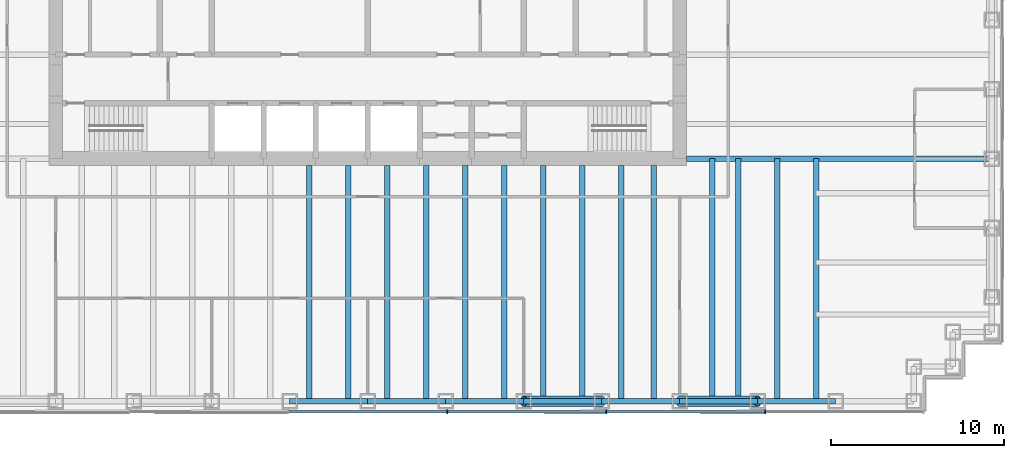
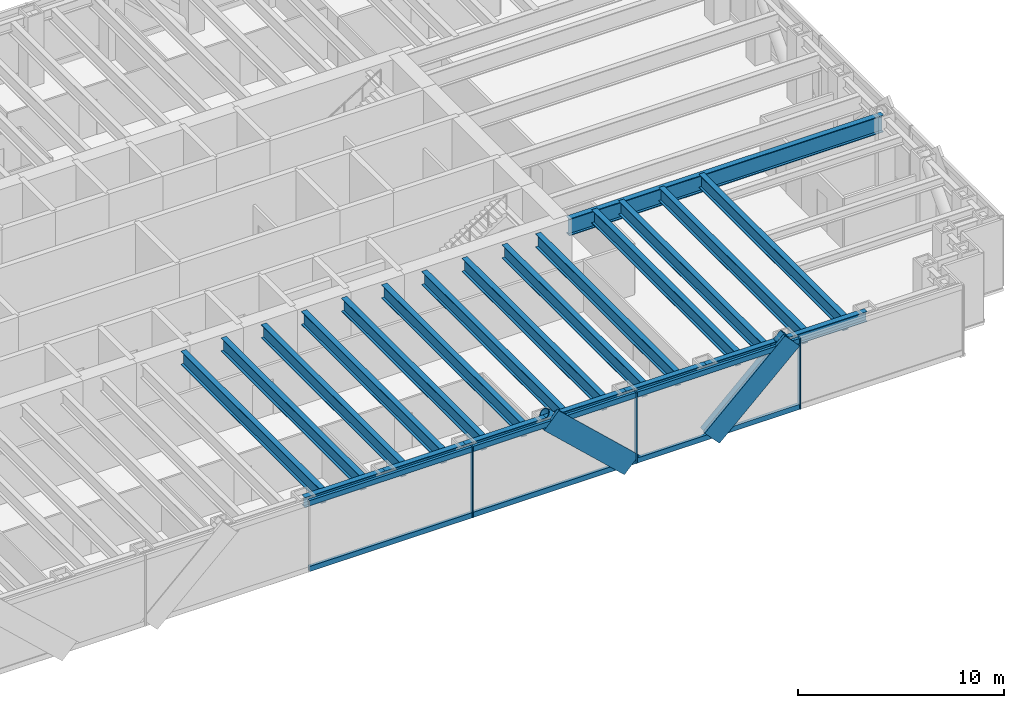
# One storey, part 3 of 14: 22 beams, 13 members, 1 element without a shape of its own.
"""IFC4 building model written with IfcOpenShell, lengths in metres."""

from ifc_helpers import new_model, si_unit, direction, frame, origin, origin_2d, place, context, subcontext, project, spatial, rectangle, hollow_circle, i_section, extrude, material, material_profile, profile_set, type_object, element, aggregate, save


model = new_model("IFC4")

# Units and contexts
model_context = context("Model", 3, precision=1e-05, world=origin(), true_north=direction((0.0, 1.0)))
body_context = subcontext(model_context, "Body", "Model", "MODEL_VIEW")
ifc_project = project(units=[si_unit("LENGTHUNIT", "METRE"), si_unit("AREAUNIT", "SQUARE_METRE"), si_unit("VOLUMEUNIT", "CUBIC_METRE"), si_unit("PLANEANGLEUNIT", "RADIAN"), si_unit("MASSUNIT", "GRAM", prefix="KILO")], contexts=[model_context])

# Site, building, storey
site_placement = place(None, origin())
site = spatial("IfcSite", under=ifc_project, at=site_placement, CompositionType="ELEMENT")
building_placement = place(site_placement, origin())
building = spatial("IfcBuilding", under=site, at=building_placement, Name="Rheinbord Bourse Tower", CompositionType="ELEMENT")
storey_placement = place(building_placement, frame((0.0, 0.0, 202.60009765625)))
storey = spatial("IfcBuildingStorey", under=building, at=storey_placement, Name="L45", CompositionType="ELEMENT", Elevation=202.60009765625)

# Curtain wall, members
ifc_material_1 = material(Name="Dark glass and black aluminium", Category="aluminium")
curtain_wall_type = type_object("IfcCurtainWallType", Name="CW2 DARK GLASS CURTAIN WALL", PredefinedType="USERDEFINED", material=ifc_material_1)
curtain_wall_placement = place(storey_placement, origin())
curtain_wall = element("IfcCurtainWall", 1, at=curtain_wall_placement, inside=storey, type_object=curtain_wall_type, Name="Curtain wall CW2 S L45", ObjectType="UNITISED CURTAIN WALL", PredefinedType="USERDEFINED")
ifc_material_2 = material(Name="Black anodised aluminium", Category="aluminium")
ifc_material_profile_1 = material_profile(ifc_material_2, rectangle(XDim=0.159912109375, YDim=1.2099609375, at=origin_2d()), Name="CW2 DIAGONAL MULLION 1210x160")
ifc_profile_set_1 = profile_set([ifc_material_profile_1], Name="Black anodised aluminium")
member_type_1 = type_object("IfcMemberType", Name="CW2 BLACK DIAGONAL MULLION", PredefinedType="USERDEFINED", material=ifc_profile_set_1)
member_1_placement = place(storey_placement, frame((49.5, 1.39990234375, 0.0), z_axis=(-0.73105922506, 0.0, 0.682314010889), x_axis=(0.0, -1.0, 0.0)))
member_1 = element("IfcMember", 2, at=member_1_placement, type_object=member_type_1, Name="CW2 diagonal mullion a", ObjectType="DIAGONAL MULLION", PredefinedType="USERDEFINED", context=body_context, shape_type="SweptSolid", body=[
    extrude(rectangle(XDim=0.159912109375, YDim=1.2099609375, at=origin_2d()), origin(), (0.0, 0.0, 1.0), 6.155517578125),
])
member_2_placement = place(storey_placement, frame((54.0, 1.39990234375, 0.0), z_axis=(0.73105922506, 0.0, 0.682314010889), x_axis=(0.0, 1.0, 0.0)))
member_2 = element("IfcMember", 3, at=member_2_placement, type_object=member_type_1, Name="CW2 diagonal mullion d", ObjectType="DIAGONAL MULLION", PredefinedType="USERDEFINED", context=body_context, shape_type="SweptSolid", body=[
    extrude(rectangle(XDim=0.159912109375, YDim=1.2099609375, at=origin_2d()), origin(), (0.0, 0.0, 1.0), 6.155517578125),
])
ifc_material_3 = material(Name="Black anodised aluminium", Category="aluminium")
ifc_material_profile_2 = material_profile(ifc_material_3, rectangle(XDim=0.219970703125, YDim=0.070068359375, at=origin_2d()), Name="CW2 MULLION 70x220")
ifc_profile_set_2 = profile_set([ifc_material_profile_2], Name="Black anodised aluminium")
member_type_2 = type_object("IfcMemberType", Name="CW2 BLACK MULLION", PredefinedType="MULLION", material=ifc_profile_set_2)
member_3_placement = place(storey_placement, frame((40.585693359375, 1.39990234375, 0.0), z_axis=(0.0, 0.0, 1.0), x_axis=(0.0, 1.0, 0.0)))
member_3 = element("IfcMember", 4, at=member_3_placement, type_object=member_type_2, Name="CW2 mullion 5", PredefinedType="MULLION", context=body_context, shape_type="SweptSolid", body=[
    extrude(rectangle(XDim=0.219970703125, YDim=0.070068359375, at=origin_2d()), origin(), (0.0, 0.0, 1.0), 4.199951171875),
])
member_4_placement = place(storey_placement, frame((49.757080078125, 1.39990234375, 0.0), z_axis=(0.0, 0.0, 1.0), x_axis=(0.0, 1.0, 0.0)))
member_4 = element("IfcMember", 5, at=member_4_placement, type_object=member_type_2, Name="CW2 mullion 6", PredefinedType="MULLION", context=body_context, shape_type="SweptSolid", body=[
    extrude(rectangle(XDim=0.219970703125, YDim=0.070068359375, at=origin_2d()), origin(), (0.0, 0.0, 1.0), 4.199951171875),
])
member_5_placement = place(storey_placement, frame((58.928466796875, 1.39990234375, 0.0), z_axis=(0.0, 0.0, 1.0), x_axis=(0.0, 1.0, 0.0)))
member_5 = element("IfcMember", 6, at=member_5_placement, type_object=member_type_2, Name="CW2 mullion 7", PredefinedType="MULLION", context=body_context, shape_type="SweptSolid", body=[
    extrude(rectangle(XDim=0.219970703125, YDim=0.070068359375, at=origin_2d()), origin(), (0.0, 0.0, 1.0), 4.199951171875),
])
ifc_material_4 = material(Name="Black anodised aluminium", Category="aluminium")
ifc_material_profile_3 = material_profile(ifc_material_4, rectangle(XDim=0.159912109375, YDim=0.300048828125, at=origin_2d()), Name="CW2 TRANSOM 300x160")
ifc_profile_set_3 = profile_set([ifc_material_profile_3], Name="Black anodised aluminium")
member_type_3 = type_object("IfcMemberType", Name="CW2 BLACK TRANSOM", PredefinedType="USERDEFINED", material=ifc_profile_set_3)
member_6_placement = place(storey_placement, frame((31.44921875, 1.39990234375, 0.14990234375), z_axis=(1.0, 0.0, 0.0), x_axis=(0.0, 1.0, 0.0)))
member_6 = element("IfcMember", 7, at=member_6_placement, type_object=member_type_3, Name="CW2 transom 4.1", ObjectType="TRANSOM", PredefinedType="USERDEFINED", context=body_context, shape_type="SweptSolid", body=[
    extrude(rectangle(XDim=0.159912109375, YDim=0.300048828125, at=origin_2d()), origin(), (0.0, 0.0, 1.0), 9.1015625),
])
member_7_placement = place(storey_placement, frame((31.44921875, 1.39990234375, 4.0498046875), z_axis=(1.0, 0.0, 0.0), x_axis=(0.0, 1.0, 0.0)))
member_7 = element("IfcMember", 8, at=member_7_placement, type_object=member_type_3, Name="CW2 transom 4.2", ObjectType="TRANSOM", PredefinedType="USERDEFINED", context=body_context, shape_type="SweptSolid", body=[
    extrude(rectangle(XDim=0.159912109375, YDim=0.300048828125, at=origin_2d()), origin(), (0.0, 0.0, 1.0), 9.1015625),
])
member_8_placement = place(storey_placement, frame((40.62060546875, 1.39990234375, 0.14990234375), z_axis=(1.0, 0.0, 0.0), x_axis=(0.0, 1.0, 0.0)))
member_8 = element("IfcMember", 9, at=member_8_placement, type_object=member_type_3, Name="CW2 transom 5.1", ObjectType="TRANSOM", PredefinedType="USERDEFINED", context=body_context, shape_type="SweptSolid", body=[
    extrude(rectangle(XDim=0.159912109375, YDim=0.300048828125, at=origin_2d()), origin(), (0.0, 0.0, 1.0), 9.1015625),
])
member_9_placement = place(storey_placement, frame((40.62060546875, 1.39990234375, 4.0498046875), z_axis=(1.0, 0.0, 0.0), x_axis=(0.0, 1.0, 0.0)))
member_9 = element("IfcMember", 10, at=member_9_placement, type_object=member_type_3, Name="CW2 transom 5.2", ObjectType="TRANSOM", PredefinedType="USERDEFINED", context=body_context, shape_type="SweptSolid", body=[
    extrude(rectangle(XDim=0.159912109375, YDim=0.300048828125, at=origin_2d()), origin(), (0.0, 0.0, 1.0), 9.1015625),
])
member_10_placement = place(storey_placement, frame((49.792236328125, 1.39990234375, 0.14990234375), z_axis=(1.0, 0.0, 0.0), x_axis=(0.0, 1.0, 0.0)))
member_10 = element("IfcMember", 11, at=member_10_placement, type_object=member_type_3, Name="CW2 transom 6.1", ObjectType="TRANSOM", PredefinedType="USERDEFINED", context=body_context, shape_type="SweptSolid", body=[
    extrude(rectangle(XDim=0.159912109375, YDim=0.300048828125, at=origin_2d()), origin(), (0.0, 0.0, 1.0), 9.101318359375),
])
member_11_placement = place(storey_placement, frame((49.792236328125, 1.39990234375, 4.0498046875), z_axis=(1.0, 0.0, 0.0), x_axis=(0.0, 1.0, 0.0)))
member_11 = element("IfcMember", 12, at=member_11_placement, type_object=member_type_3, Name="CW2 transom 6.2", ObjectType="TRANSOM", PredefinedType="USERDEFINED", context=body_context, shape_type="SweptSolid", body=[
    extrude(rectangle(XDim=0.159912109375, YDim=0.300048828125, at=origin_2d()), origin(), (0.0, 0.0, 1.0), 9.101318359375),
])
aggregate(curtain_wall, [member_3, member_4, member_5, member_6, member_7, member_8, member_9, member_10, member_11, member_1, member_2])

# Beams
ifc_material_5 = material(Name="Steel S460", Category="steel")
ifc_material_profile_4 = material_profile(ifc_material_5, i_section(OverallWidth=0.300048828125, OverallDepth=0.800048828125, WebThickness=0.017578125, FlangeThickness=0.032958984375, at=origin_2d()), Name="HEB 800")
ifc_profile_set_4 = profile_set([ifc_material_profile_4], Name="Steel S460")
beam_type_1 = type_object("IfcBeamType", Name="FLOOR BEAM HEB 800", PredefinedType="BEAM", material=ifc_profile_set_4)
for number, where, z_axis, x_axis, name in (
    (13, (32.625, 2.0, 3.639892578125), (0.0, 1.0, 0.0), (-1.0, 0.0, 0.0), "Floor beam S-31.5a L46"),
    (14, (34.875, 2.0, 3.639892578125), (0.0, 1.0, 0.0), (-1.0, 0.0, 0.0), "Floor beam S-31.5b L46"),
    (15, (37.125, 2.0, 3.639892578125), (0.0, 1.0, 0.0), (-1.0, 0.0, 0.0), "Floor beam S-36a L46"),
    (16, (39.375, 2.0, 3.639892578125), (0.0, 1.0, 0.0), (-1.0, 0.0, 0.0), "Floor beam S-36b L46"),
    (17, (41.625, 2.0, 3.639892578125), (0.0, 1.0, 0.0), (-1.0, 0.0, 0.0), "Floor beam S-40.5a L46"),
    (18, (43.875, 2.0, 3.639892578125), (0.0, 1.0, 0.0), (-1.0, 0.0, 0.0), "Floor beam S-40.5b L46"),
    (19, (46.125, 2.0, 3.639892578125), (0.0, 1.0, 0.0), (-1.0, 0.0, 0.0), "Floor beam S-45a L46"),
    (20, (48.375, 2.0, 3.639892578125), (0.0, 1.0, 0.0), (-1.0, 0.0, 0.0), "Floor beam S-45b L46"),
    (21, (50.625, 2.0, 3.639892578125), (0.0, 1.0, 0.0), (-1.0, 0.0, 0.0), "Floor beam S-49.5a L46"),
    (22, (52.5, 2.0, 3.639892578125), (0.0, 1.0, 0.0), (-1.0, 0.0, 0.0), "Floor beam S-49.5b L46"),
):
    element("IfcBeam", number, at=place(storey_placement, frame(where, z_axis=z_axis, x_axis=x_axis)), inside=storey, type_object=beam_type_1, Name=name, PredefinedType="BEAM", context=body_context, shape_type="SweptSolid", body=[
        extrude(i_section(OverallWidth=0.300048828125, OverallDepth=0.800048828125, WebThickness=0.017578125, FlangeThickness=0.032958984375, at=origin_2d()), origin(), (0.0, 0.0, 1.0), 13.60009765625),
    ])
for number, where, z_axis, x_axis, name in (
    (23, (55.875, 2.0, 3.639892578125), (0.0, 1.0, 0.0), (-1.0, 0.0, 0.0), "Floor beam S-54a L46"),
    (24, (57.375, 2.0, 3.639892578125), (0.0, 1.0, 0.0), (-1.0, 0.0, 0.0), "Floor beam S-54b L46"),
    (25, (59.625, 2.0, 3.639892578125), (0.0, 1.0, 0.0), (-1.0, 0.0, 0.0), "Floor beam S-58.5a L46"),
    (26, (61.875, 2.0, 3.639892578125), (0.0, 1.0, 0.0), (-1.0, 0.0, 0.0), "Floor beam S-58.5b L46"),
):
    element("IfcBeam", number, at=place(storey_placement, frame(where, z_axis=z_axis, x_axis=x_axis)), inside=storey, type_object=beam_type_1, Name=name, PredefinedType="BEAM", context=body_context, shape_type="SweptSolid", body=[
        extrude(i_section(OverallWidth=0.300048828125, OverallDepth=0.800048828125, WebThickness=0.017578125, FlangeThickness=0.032958984375, at=origin_2d()), origin(), (0.0, 0.0, 1.0), 14.0),
    ])
ifc_material_6 = material(Name="Steel S460", Category="steel")
ifc_material_profile_5 = material_profile(ifc_material_6, i_section(OverallWidth=0.302001953125, OverallDepth=1.008056640625, WebThickness=0.02099609375, FlangeThickness=0.0400390625, at=origin_2d()), Name="HEM 1000")
ifc_profile_set_5 = profile_set([ifc_material_profile_5], Name="Steel S460")
beam_type_2 = type_object("IfcBeamType", Name="GIRDER HEM 1000", PredefinedType="BEAM", material=ifc_profile_set_5)
beam_placement = place(storey_placement, frame((54.39990234375, 16.0, 3.535888671875), z_axis=(1.0, 0.0, 0.0), x_axis=(0.0, 1.0, 0.0)))
element("IfcBeam", 27, at=beam_placement, inside=storey, type_object=beam_type_2, Name="Girder east 16 L46", PredefinedType="BEAM", context=body_context, shape_type="SweptSolid", body=[
    extrude(i_section(OverallWidth=0.302001953125, OverallDepth=1.008056640625, WebThickness=0.02099609375, FlangeThickness=0.0400390625, at=origin_2d()), origin(), (0.0, 0.0, 1.0), 17.60009765625),
])

# Members
ifc_material_7 = material(Name="Steel S460", Category="steel")
ifc_material_profile_6 = material_profile(ifc_material_7, hollow_circle(Radius=0.304931640625, WallThickness=0.0400390625, at=origin_2d()), Name="CHS 610x40")
ifc_profile_set_6 = profile_set([ifc_material_profile_6], Name="Steel S460")
member_type_4 = type_object("IfcMemberType", Name="MEGABRACE CHS 610x40", PredefinedType="BRACE", material=ifc_profile_set_6)
for number, where, z_axis, x_axis, name in (
    (28, (49.5, 2.0, 0.0), (-0.73105922506, 0.0, 0.682314010889), (0.0, -1.0, 0.0), "Megabrace S face line a L45"),
    (29, (54.0, 2.0, 0.0), (0.73105922506, 0.0, 0.682314010889), (0.0, 1.0, 0.0), "Megabrace S face line d L45"),
):
    element("IfcMember", number, at=place(storey_placement, frame(where, z_axis=z_axis, x_axis=x_axis)), inside=storey, type_object=member_type_4, Name=name, PredefinedType="BRACE", context=body_context, shape_type="SweptSolid", body=[
        extrude(hollow_circle(Radius=0.304931640625, WallThickness=0.0400390625, at=origin_2d()), origin(), (0.0, 0.0, 1.0), 6.155517578125),
    ])

# Beams
ifc_material_8 = material(Name="Steel S460", Category="steel")
ifc_material_profile_7 = material_profile(ifc_material_8, i_section(OverallWidth=0.300048828125, OverallDepth=0.60009765625, WebThickness=0.015380859375, FlangeThickness=0.030029296875, at=origin_2d()), Name="HEB 600")
ifc_profile_set_7 = profile_set([ifc_material_profile_7], Name="Steel S460")
beam_type_3 = type_object("IfcBeamType", Name="SPANDREL HEB 600", PredefinedType="SPANDREL", material=ifc_profile_set_7)
for number, where, z_axis, x_axis, name in (
    (30, (31.5, 2.0, 3.739990234375), (1.0, 0.0, 0.0), (0.0, 1.0, 0.0), "Spandrel S-31.5-S-36 under L46"),
    (31, (36.0, 2.0, 3.739990234375), (1.0, 0.0, 0.0), (0.0, 1.0, 0.0), "Spandrel S-36-S-40.5 under L46"),
    (32, (40.5, 2.0, 3.739990234375), (1.0, 0.0, 0.0), (0.0, 1.0, 0.0), "Spandrel S-40.5-S-45 under L46"),
    (33, (45.0, 2.0, 3.739990234375), (1.0, 0.0, 0.0), (0.0, 1.0, 0.0), "Spandrel S-45-S-49.5 under L46"),
    (34, (49.5, 2.0, 3.739990234375), (1.0, 0.0, 0.0), (0.0, 1.0, 0.0), "Spandrel S-49.5-S-54 under L46"),
    (35, (54.0, 2.0, 3.739990234375), (1.0, 0.0, 0.0), (0.0, 1.0, 0.0), "Spandrel S-54-S-58.5 under L46"),
    (36, (58.5, 2.0, 3.739990234375), (1.0, 0.0, 0.0), (0.0, 1.0, 0.0), "Spandrel S-58.5-S-63 under L46"),
):
    element("IfcBeam", number, at=place(storey_placement, frame(where, z_axis=z_axis, x_axis=x_axis)), inside=storey, type_object=beam_type_3, Name=name, PredefinedType="SPANDREL", context=body_context, shape_type="SweptSolid", body=[
        extrude(i_section(OverallWidth=0.300048828125, OverallDepth=0.60009765625, WebThickness=0.015380859375, FlangeThickness=0.030029296875, at=origin_2d()), origin(), (0.0, 0.0, 1.0), 4.5),
    ])

save(model, "model.ifc")
